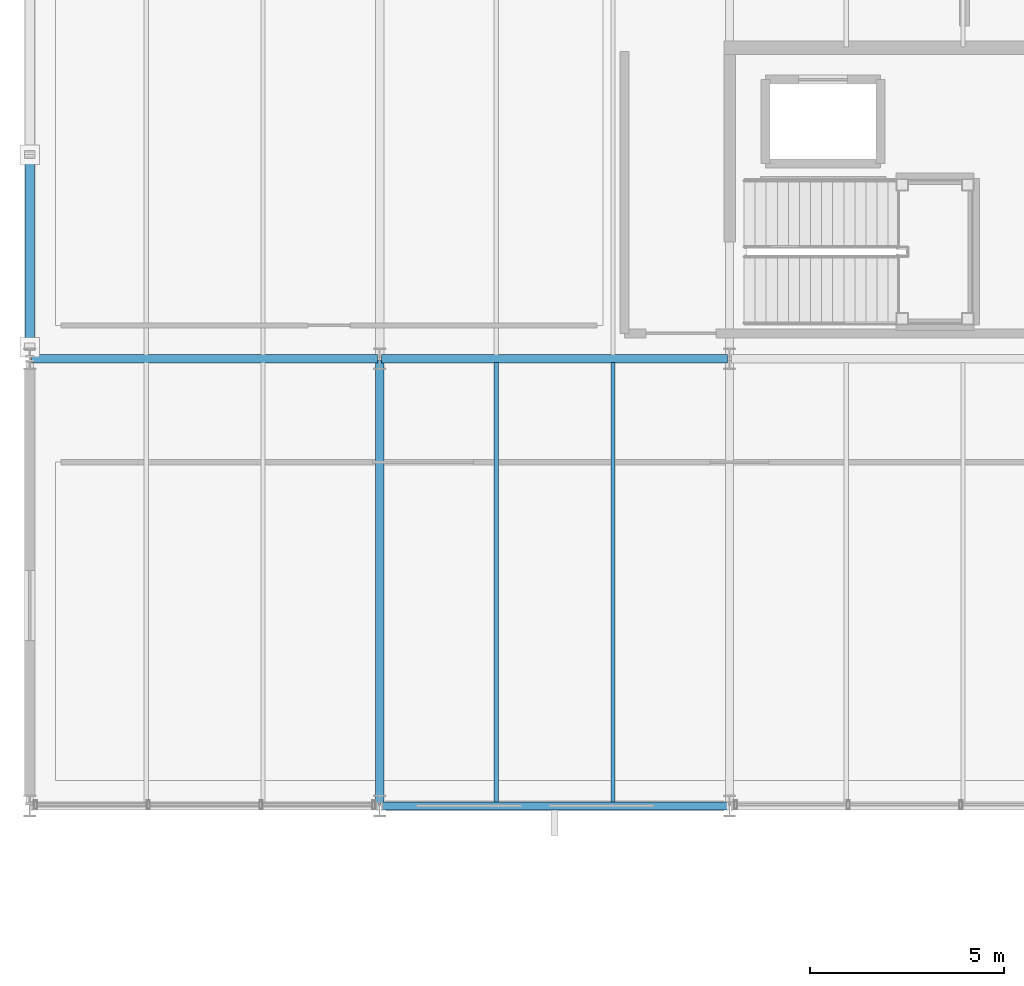
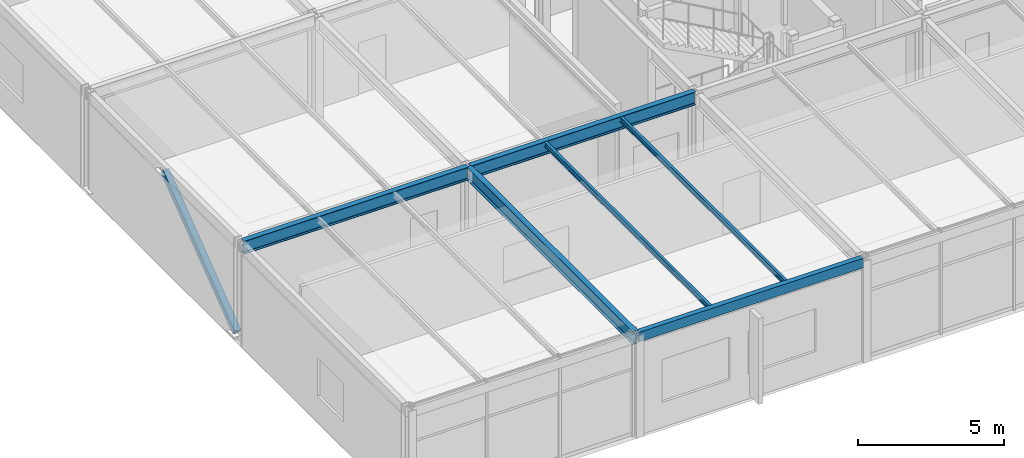
# One storey, part 7 of 44: 6 beams, 1 member.
"""IFC4 building model written with IfcOpenShell, lengths in metres."""

from ifc_helpers import new_model, si_unit, direction, frame, origin, origin_2d, place, context, subcontext, project, spatial, hollow_rectangle, i_section, extrude, material, material_profile, profile_set, type_object, element, save


model = new_model("IFC4")

# Units and contexts
model_context = context("Model", 3, precision=1e-05, world=origin(), true_north=direction((0.0, 1.0)))
body_context = subcontext(model_context, "Body", "Model", "MODEL_VIEW")
ifc_project = project(units=[si_unit("LENGTHUNIT", "METRE"), si_unit("AREAUNIT", "SQUARE_METRE"), si_unit("VOLUMEUNIT", "CUBIC_METRE"), si_unit("PLANEANGLEUNIT", "RADIAN"), si_unit("MASSUNIT", "GRAM", prefix="KILO")], contexts=[model_context])

# Site, building, storey
site_placement = place(None, origin())
site = spatial("IfcSite", under=ifc_project, at=site_placement, CompositionType="ELEMENT")
building_placement = place(site_placement, origin())
building = spatial("IfcBuilding", under=site, at=building_placement, Name="Marlcrest Central Station", CompositionType="ELEMENT")
storey_placement = place(building_placement, frame((0.0, 0.0, 19.5)))
storey = spatial("IfcBuildingStorey", under=building, at=storey_placement, Name="L04", CompositionType="ELEMENT", Elevation=19.5)

# Member
ifc_material = material(Name="Steel S355", Category="steel")
ifc_material_profile_1 = material_profile(ifc_material, hollow_rectangle(XDim=0.25, YDim=0.25, WallThickness=0.012451171875, at=origin_2d()), Name="SHS 250x250x12.5")
ifc_profile_set_1 = profile_set([ifc_material_profile_1], Name="Steel S355")
member_type = type_object("IfcMemberType", Name="BF-02", PredefinedType="BRACE", material=ifc_profile_set_1)
member_placement = place(storey_placement, frame((0.0, 110.800048828125, 0.25), z_axis=(0.0, 0.795159753467, 0.606400005332), x_axis=(-1.0, 0.0, 0.0)))
element("IfcMember", 1, at=member_placement, inside=storey, type_object=member_type, Name="mem-BF-02-L04-00009", PredefinedType="BRACE", context=body_context, shape_type="SweptSolid", body=[
    extrude(hollow_rectangle(XDim=0.25, YDim=0.25, WallThickness=0.012451171875, at=origin_2d()), origin(), (0.0, 0.0, 1.0), 6.22509765625),
])

# Beams
ifc_material_profile_2 = material_profile(ifc_material, i_section(OverallWidth=0.2099609375, OverallDepth=0.550048828125, WebThickness=0.010986328125, FlangeThickness=0.01708984375, FilletRadius=0.02392578125, at=origin_2d()), Name="IPE 550")
ifc_profile_set_2 = profile_set([ifc_material_profile_2], Name="Steel S355")
beam_type_1 = type_object("IfcBeamType", Name="BM-06", PredefinedType="BEAM", material=ifc_profile_set_2)
for number, where, z_axis, x_axis, name in (
    (2, (0.050048828125, 110.5, 4.0), (1.0, 0.0, 0.0), (0.0, 1.0, 0.0), "bm-BM-06-L04-00582"),
    (3, (9.050048828125, 110.5, 4.0), (1.0, 0.0, 0.0), (0.0, 1.0, 0.0), "bm-BM-06-L04-00583"),
):
    element("IfcBeam", number, at=place(storey_placement, frame(where, z_axis=z_axis, x_axis=x_axis)), inside=storey, type_object=beam_type_1, Name=name, PredefinedType="BEAM", context=body_context, shape_type="SweptSolid", body=[
        extrude(i_section(OverallWidth=0.2099609375, OverallDepth=0.550048828125, WebThickness=0.010986328125, FlangeThickness=0.01708984375, FilletRadius=0.02392578125, at=origin_2d()), origin(), (0.0, 0.0, 1.0), 8.89990234375),
    ])
beam_1_placement = place(storey_placement, frame((9.0, 99.050048828125, 4.0), z_axis=(0.0, 1.0, 0.0), x_axis=(-1.0, 0.0, 0.0)))
element("IfcBeam", 4, at=beam_1_placement, inside=storey, type_object=beam_type_1, Name="bm-BM-06-L04-00606", PredefinedType="BEAM", context=body_context, shape_type="SweptSolid", body=[
    extrude(i_section(OverallWidth=0.2099609375, OverallDepth=0.550048828125, WebThickness=0.010986328125, FlangeThickness=0.01708984375, FilletRadius=0.02392578125, at=origin_2d()), origin(), (0.0, 0.0, 1.0), 11.39990234375),
])
ifc_material_profile_3 = material_profile(ifc_material, i_section(OverallWidth=0.110107421875, OverallDepth=0.219970703125, WebThickness=0.005859375, FlangeThickness=0.00927734375, FilletRadius=0.011962890625, at=origin_2d()), Name="IPE 220")
ifc_profile_set_3 = profile_set([ifc_material_profile_3], Name="Steel S355")
beam_type_2 = type_object("IfcBeamType", Name="JS-02", PredefinedType="JOIST", material=ifc_profile_set_3)
for number, where, z_axis, x_axis, name in (
    (5, (12.0, 99.094970703125, 4.1650390625), (0.0, 1.0, 0.0), (-1.0, 0.0, 0.0), "bm-JS-02-L04-00633"),
    (6, (15.0, 99.094970703125, 4.1650390625), (0.0, 1.0, 0.0), (-1.0, 0.0, 0.0), "bm-JS-02-L04-00636"),
):
    element("IfcBeam", number, at=place(storey_placement, frame(where, z_axis=z_axis, x_axis=x_axis)), inside=storey, type_object=beam_type_2, Name=name, PredefinedType="JOIST", context=body_context, shape_type="SweptSolid", body=[
        extrude(i_section(OverallWidth=0.110107421875, OverallDepth=0.219970703125, WebThickness=0.005859375, FlangeThickness=0.00927734375, FilletRadius=0.011962890625, at=origin_2d()), origin(), (0.0, 0.0, 1.0), 11.31005859375),
    ])
ifc_material_profile_4 = material_profile(ifc_material, hollow_rectangle(XDim=0.199951171875, YDim=0.39990234375, WallThickness=0.01611328125, at=origin_2d()), Name="RHS 400x200x16")
ifc_profile_set_4 = profile_set([ifc_material_profile_4], Name="Steel S355")
beam_type_3 = type_object("IfcBeamType", Name="SP-01", PredefinedType="SPANDREL", material=ifc_profile_set_4)
beam_2_placement = place(storey_placement, frame((9.050048828125, 99.0, 4.074951171875), z_axis=(1.0, 0.0, 0.0), x_axis=(0.0, 1.0, 0.0)))
element("IfcBeam", 7, at=beam_2_placement, inside=storey, type_object=beam_type_3, Name="bm-SP-01-L04-00576", PredefinedType="SPANDREL", context=body_context, shape_type="SweptSolid", body=[
    extrude(hollow_rectangle(XDim=0.199951171875, YDim=0.39990234375, WallThickness=0.01611328125, at=origin_2d()), origin(), (0.0, 0.0, 1.0), 8.89990234375),
])

save(model, "model.ifc")
